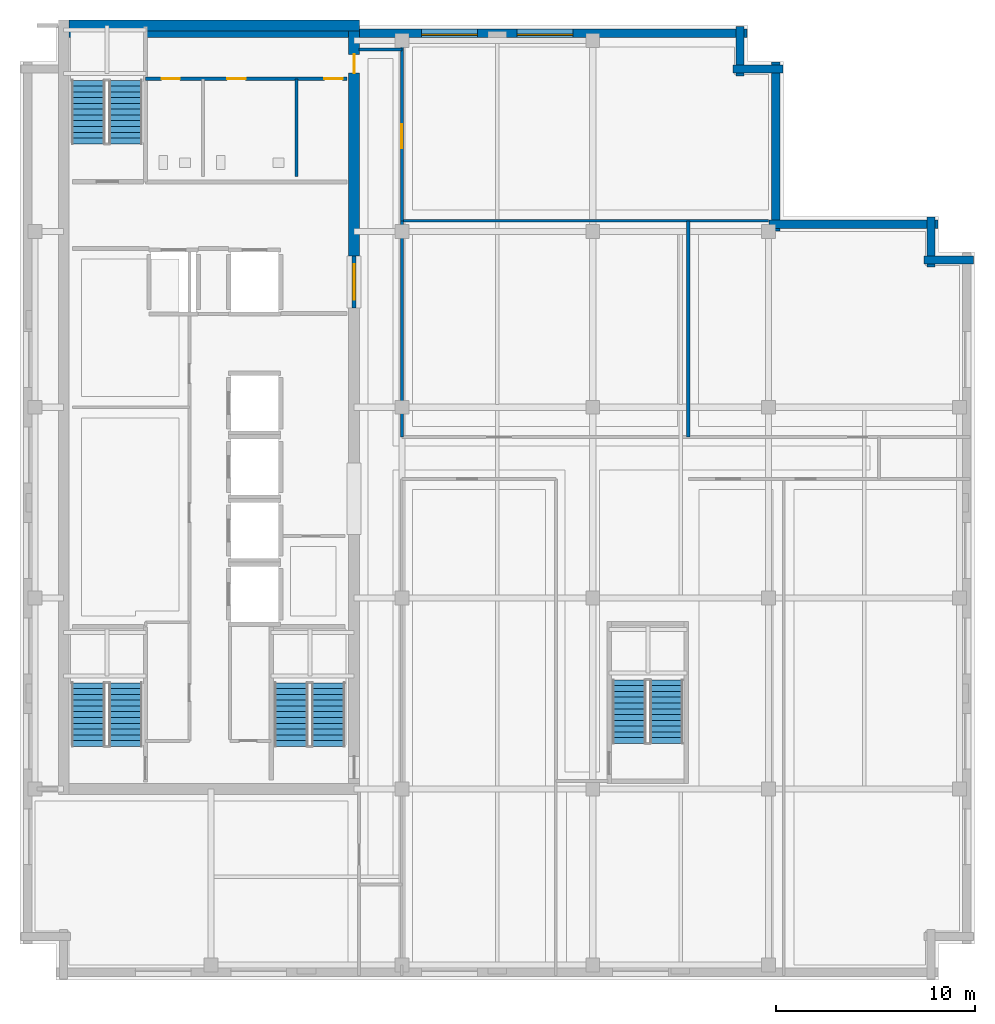
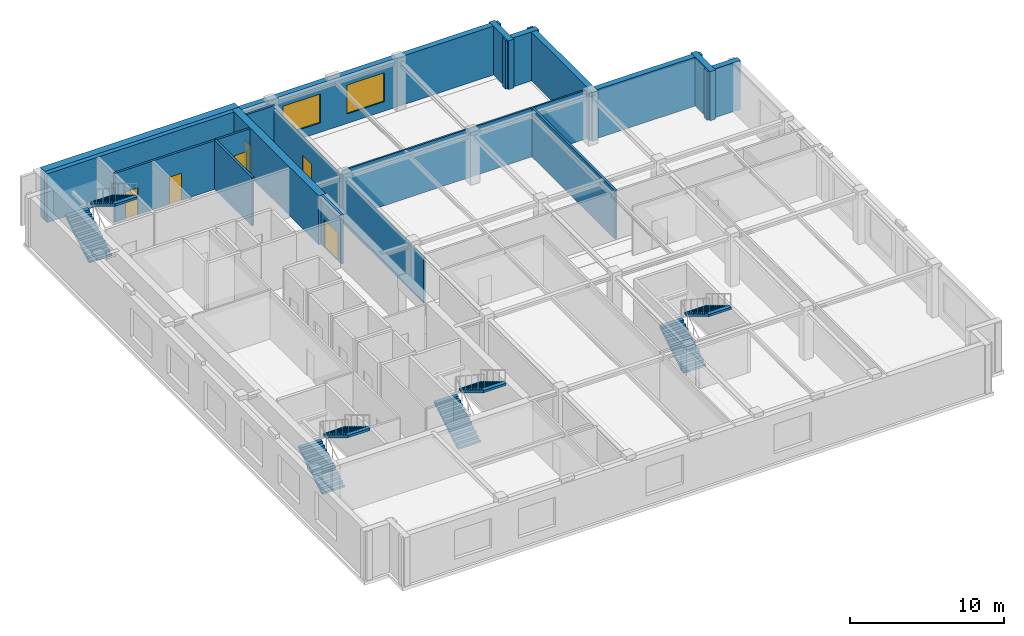
# One storey, part 5 of 10: 17 walls, 8 stair flights, 6 doors, 2 windows, 8 openings, 4 elements without a shape of their own.
"""IFC4 building model written with IfcOpenShell, lengths in metres."""

from ifc_helpers import new_model, si_unit, direction, frame, frame_2d, origin, place, context, subcontext, project, spatial, polyline, rectangle, outline, extrude, material, layer, layer_set, type_object, element, fill, aggregate, save


model = new_model("IFC4")

# Units and contexts
model_context = context("Model", 3, precision=1e-05, world=origin(), true_north=direction((0.0, 1.0)))
body_context = subcontext(model_context, "Body", "Model", "MODEL_VIEW")
ifc_project = project(units=[si_unit("LENGTHUNIT", "METRE"), si_unit("AREAUNIT", "SQUARE_METRE"), si_unit("VOLUMEUNIT", "CUBIC_METRE"), si_unit("PLANEANGLEUNIT", "RADIAN"), si_unit("MASSUNIT", "GRAM", prefix="KILO")], contexts=[model_context])

# Site, building, storey
site_placement = place(None, origin())
site = spatial("IfcSite", under=ifc_project, at=site_placement, CompositionType="ELEMENT")
building_placement = place(site_placement, origin())
building = spatial("IfcBuilding", under=site, at=building_placement, Name="Norrvale University Quadrangle", CompositionType="ELEMENT")
storey_placement = place(building_placement, frame((0.0, 0.0, 303.800048828125)))
storey = spatial("IfcBuildingStorey", under=building, at=storey_placement, Name="L77", CompositionType="ELEMENT", Elevation=303.800048828125)

# Walls
ifc_material_1 = material(Name="Buff Norman Clay Brick Masonry", Category="masonry")
ifc_layer_1 = layer(ifc_material_1, 0.419921875, Name="Buff Norman Clay Brick Masonry")
ifc_layer_set_1 = layer_set([ifc_layer_1], Name="Buff Norman Clay Brick Masonry")
wall_type_1 = type_object("IfcWallType", Name="Wall Buff Brick 420", PredefinedType="SOLIDWALL", material=ifc_layer_set_1)
for number, where, z_axis, x_axis, name in (
    (1, (47.9599609375, 36.2099609375, 0.0), (0.0, 0.0, 1.0), (-1.0, 0.0, 0.0), "Exterior Brick Facade Wall L77-05.1"),
    (2, (45.81005859375, 35.860107421875, 0.0), (0.0, 0.0, 1.0), (0.0, 1.0, 0.0), "Exterior Brick Facade Wall L77-06.1"),
):
    element("IfcWall", number, at=place(storey_placement, frame(where, z_axis=z_axis, x_axis=x_axis)), inside=storey, type_object=wall_type_1, Name=name, PredefinedType="SOLIDWALL", context=body_context, shape_type="SweptSolid", body=[
        extrude(rectangle(XDim=2.5, YDim=0.419921875, at=frame_2d((1.25, 0.0))), origin(), (0.0, 0.0, 1.0), 3.8798828125),
    ])
for number, where, z_axis, x_axis, name in (
    (3, (46.159912109375, 38.010009765625, 0.0), (0.0, 0.0, 1.0), (-1.0, 0.0, 0.0), "Exterior Brick Facade Wall L77-07.1"),
    (4, (38.010009765625, 37.659912109375, 0.0), (0.0, 0.0, 1.0), (0.0, 1.0, 0.0), "Exterior Brick Facade Wall L77-08.1"),
):
    element("IfcWall", number, at=place(storey_placement, frame(where, z_axis=z_axis, x_axis=x_axis)), inside=storey, type_object=wall_type_1, Name=name, PredefinedType="SOLIDWALL", context=body_context, shape_type="SweptSolid", body=[
        extrude(rectangle(XDim=8.5, YDim=0.419921875, at=frame_2d((4.25, 0.0))), origin(), (0.0, 0.0, 1.0), 3.8798828125),
    ])
for number, where, z_axis, x_axis, name in (
    (5, (38.360107421875, 45.81005859375, 0.0), (0.0, 0.0, 1.0), (-1.0, 0.0, 0.0), "Exterior Brick Facade Wall L77-09.1"),
    (6, (36.2099609375, 45.4599609375, 0.0), (0.0, 0.0, 1.0), (0.0, 1.0, 0.0), "Exterior Brick Facade Wall L77-10.1"),
):
    element("IfcWall", number, at=place(storey_placement, frame(where, z_axis=z_axis, x_axis=x_axis)), inside=storey, type_object=wall_type_1, Name=name, PredefinedType="SOLIDWALL", context=body_context, shape_type="SweptSolid", body=[
        extrude(rectangle(XDim=2.5, YDim=0.419921875, at=frame_2d((1.25, 0.0))), origin(), (0.0, 0.0, 1.0), 3.8798828125),
    ])

# Wall, openings, windows
wall_1_placement = place(storey_placement, frame((36.56005859375, 47.610107421875, 0.0), z_axis=(0.0, 0.0, 1.0), x_axis=(-1.0, 0.0, 0.0)))
wall_1 = element("IfcWall", 7, at=wall_1_placement, inside=storey, type_object=wall_type_1, Name="Exterior Brick Facade Wall L77-11.1", PredefinedType="SOLIDWALL", context=body_context, shape_type="SweptSolid", body=[
    extrude(rectangle(XDim=34.0849609375, YDim=0.419921875, at=frame_2d((17.04248046875, 0.0))), origin(), (0.0, 0.0, 1.0), 3.8798828125),
])
opening_1_placement = place(wall_1_placement, frame((8.760009765625, 0.0, 0.75)))
opening_1 = element("IfcOpeningElement", 8, at=opening_1_placement, cuts=wall_1, Name="Opening W05", PredefinedType="OPENING", context=body_context, shape_type="SweptSolid", body=[
    extrude(rectangle(XDim=2.800048828125, YDim=2.300048828125, at=frame_2d((1.39990234375, 1.14990234375))), frame((0.0, 0.221923828125, 0.0), z_axis=(0.0, -1.0, 0.0), x_axis=(1.0, 0.0, 0.0)), (0.0, 0.0, 1.0), 0.44384765625),
])
opening_2_placement = place(wall_1_placement, frame((13.56005859375, 0.0, 0.75)))
opening_2 = element("IfcOpeningElement", 9, at=opening_2_placement, cuts=wall_1, Name="Opening W05", PredefinedType="OPENING", context=body_context, shape_type="SweptSolid", body=[
    extrude(rectangle(XDim=2.800048828125, YDim=2.300048828125, at=frame_2d((1.39990234375, 1.14990234375))), frame((0.0, 0.221923828125, 0.0), z_axis=(0.0, -1.0, 0.0), x_axis=(1.0, 0.0, 0.0)), (0.0, 0.0, 1.0), 0.44384765625),
])
ifc_material_2 = material(Name="Bird-Friendly Fritted Triple Glazing", Category="glass")
window_type = type_object("IfcWindowType", Name="Window Podium 2800x2800", PartitioningType="TRIPLE_PANEL_VERTICAL", PredefinedType="WINDOW", material=ifc_material_2)
window_1_placement = place(opening_1_placement, origin())
window_1 = element("IfcWindow", 10, at=window_1_placement, inside=storey, type_object=window_type, Name="Window Podium 2800x2800 WIN-L77-E11-1-01", OverallHeight=2.300048828125, OverallWidth=2.800048828125, PartitioningType="TRIPLE_PANEL_VERTICAL", PredefinedType="WINDOW", context=body_context, shape_type="SweptSolid", body=[
    extrude(rectangle(XDim=2.800048828125, YDim=2.300048828125, at=frame_2d((1.39990234375, 1.14990234375))), frame((0.0, 0.110107421875, 0.0), z_axis=(0.0, -1.0, 0.0), x_axis=(1.0, 0.0, 0.0)), (0.0, 0.0, 1.0), 0.06005859375),
])
fill(opening_1, window_1)
window_2_placement = place(opening_2_placement, origin())
window_2 = element("IfcWindow", 11, at=window_2_placement, inside=storey, type_object=window_type, Name="Window Podium 2800x2800 WIN-L77-E11-1-02", OverallHeight=2.300048828125, OverallWidth=2.800048828125, PartitioningType="TRIPLE_PANEL_VERTICAL", PredefinedType="WINDOW", context=body_context, shape_type="SweptSolid", body=[
    extrude(rectangle(XDim=2.800048828125, YDim=2.300048828125, at=frame_2d((1.39990234375, 1.14990234375))), frame((0.0, 0.110107421875, 0.0), z_axis=(0.0, -1.0, 0.0), x_axis=(1.0, 0.0, 0.0)), (0.0, 0.0, 1.0), 0.06005859375),
])
fill(opening_2, window_2)

# Wall
ifc_material_3 = material(Name="Concrete C60/75", Category="concrete")
ifc_layer_2 = layer(ifc_material_3, 0.550048828125, Name="Concrete C60/75")
ifc_layer_set_2 = layer_set([ifc_layer_2], Name="Concrete C60/75")
wall_type_2 = type_object("IfcWallType", Name="Wall Core 550", PredefinedType="SHEAR", material=ifc_layer_set_2)
wall_2_placement = place(storey_placement, frame((2.47509765625, 48.0, 0.0), z_axis=(0.0, 0.0, 1.0), x_axis=(1.0, 0.0, 0.0)))
element("IfcWall", 12, at=wall_2_placement, inside=storey, type_object=wall_type_2, Name="Tower Core Shear Wall L77-N", PredefinedType="SHEAR", context=body_context, shape_type="SweptSolid", body=[
    extrude(rectangle(XDim=14.599853515625, YDim=0.550048828125, at=frame_2d((7.2998046875, 0.0))), origin(), (0.0, 0.0, 1.0), 3.8798828125),
])

# Wall, opening, door
wall_3_placement = place(storey_placement, frame((16.800048828125, 36.39990234375, 0.0), z_axis=(0.0, 0.0, 1.0), x_axis=(0.0, 1.0, 0.0)))
wall_3 = element("IfcWall", 13, at=wall_3_placement, inside=storey, type_object=wall_type_2, Name="Tower Core Shear Wall L77-E3", PredefinedType="SHEAR", context=body_context, shape_type="SweptSolid", body=[
    extrude(rectangle(XDim=11.3251953125, YDim=0.550048828125, at=frame_2d((5.66259765625, 0.0))), origin(), (0.0, 0.0, 1.0), 3.8798828125),
])
opening_3_placement = place(wall_3_placement, frame((9.199951171875, 0.0, 0.0)))
opening_3 = element("IfcOpeningElement", 14, at=opening_3_placement, cuts=wall_3, Name="Opening D07", PredefinedType="OPENING", context=body_context, shape_type="SweptSolid", body=[
    extrude(rectangle(XDim=0.949951171875, YDim=2.14990234375, at=frame_2d((0.47509765625, 1.074951171875))), frame((0.0, 0.287109375, 0.0), z_axis=(0.0, -1.0, 0.0), x_axis=(1.0, 0.0, 0.0)), (0.0, 0.0, 1.0), 0.573974609375),
])
ifc_material_4 = material(Name="Solid-Core Maple Door", Category="wood")
door_type_1 = type_object("IfcDoorType", Name="Door Office 950x2150", OperationType="NOTDEFINED", PredefinedType="DOOR", material=ifc_material_4)
door_1_placement = place(opening_3_placement, origin())
door_1 = element("IfcDoor", 15, at=door_1_placement, inside=storey, type_object=door_type_1, Name="Door Office 950x2150 DR-L77-NECORR", OperationType="SINGLE_SWING_RIGHT", OverallHeight=2.14990234375, OverallWidth=0.949951171875, PredefinedType="DOOR", context=body_context, shape_type="SweptSolid", body=[
    extrude(rectangle(XDim=0.949951171875, YDim=2.14990234375, at=frame_2d((0.47509765625, 1.074951171875))), frame((0.0, 0.02490234375, 0.0), z_axis=(0.0, -1.0, 0.0), x_axis=(1.0, 0.0, 0.0)), (0.0, 0.0, 1.0), 0.050048828125),
])
fill(opening_3, door_1)

# Walls
ifc_material_5 = material(Name="Standard Academic Gypsum Partition")
ifc_layer_3 = layer(ifc_material_5, 0.125, Name="Standard Academic Gypsum Partition")
ifc_layer_set_3 = layer_set([ifc_layer_3], Name="Standard Academic Gypsum Partition")
wall_type_3 = type_object("IfcWallType", Name="Wall Gypsum Academic 125", PredefinedType="PARTITIONING", material=ifc_layer_set_3)
wall_4_placement = place(storey_placement, frame((19.280029296875, 38.179931640625, 0.0), z_axis=(0.0, 0.0, 1.0), x_axis=(1.0, 0.0, 0.0)))
element("IfcWall", 16, at=wall_4_placement, inside=storey, type_object=wall_type_3, Name="Interior Partition WL-L77-ME-N", PredefinedType="PARTITIONING", context=body_context, shape_type="SweptSolid", body=[
    extrude(rectangle(XDim=18.369873046875, YDim=0.125, at=frame_2d((9.18505859375, 0.0))), origin(), (0.0, 0.0, 1.0), 3.8798828125),
])
ifc_material_6 = material(Name="Fire-Rated Gypsum Stud Partition")
ifc_layer_4 = layer(ifc_material_6, 0.14990234375, Name="Fire-Rated Gypsum Stud Partition")
ifc_layer_set_4 = layer_set([ifc_layer_4], Name="Fire-Rated Gypsum Stud Partition")
wall_type_4 = type_object("IfcWallType", Name="Wall Gypsum Corridor 150", PredefinedType="PARTITIONING", material=ifc_layer_set_4)
wall_5_placement = place(storey_placement, frame((17.050048828125, 46.800048828125, 0.0), z_axis=(0.0, 0.0, 1.0), x_axis=(1.0, 0.0, 0.0)))
element("IfcWall", 17, at=wall_5_placement, inside=storey, type_object=wall_type_4, Name="Interior Partition WL-L77-CSP-N", PredefinedType="PARTITIONING", context=body_context, shape_type="SweptSolid", body=[
    extrude(rectangle(XDim=2.14990234375, YDim=0.14990234375, at=frame_2d((1.074951171875, 0.0))), origin(), (0.0, 0.0, 1.0), 3.8798828125),
])
wall_6_placement = place(storey_placement, frame((19.199951171875, 27.300048828125, 0.0), z_axis=(0.0, 0.0, 1.0), x_axis=(0.0, 1.0, 0.0)))
element("IfcWall", 18, at=wall_6_placement, inside=storey, type_object=wall_type_4, Name="Interior Partition WL-L77-ME-W", PredefinedType="PARTITIONING", context=body_context, shape_type="SweptSolid", body=[
    extrude(rectangle(XDim=10.8798828125, YDim=0.14990234375, at=frame_2d((5.43994140625, 0.0))), origin(), (0.0, 0.0, 1.0), 3.572021484375),
])

# Wall, opening, door
wall_7_placement = place(storey_placement, frame((19.199951171875, 38.179931640625, 0.0), z_axis=(0.0, 0.0, 1.0), x_axis=(0.0, 1.0, 0.0)))
wall_7 = element("IfcWall", 19, at=wall_7_placement, inside=storey, type_object=wall_type_4, Name="Interior Partition WL-L77-NECW", PredefinedType="PARTITIONING", context=body_context, shape_type="SweptSolid", body=[
    extrude(rectangle(XDim=9.27001953125, YDim=0.14990234375, at=frame_2d((4.635009765625, 0.0))), origin(), (0.0, 0.0, 1.0), 3.572021484375),
])
opening_4_placement = place(wall_7_placement, frame((3.64990234375, 0.0, 0.0)))
opening_4 = element("IfcOpeningElement", 20, at=opening_4_placement, cuts=wall_7, Name="Opening D05", PredefinedType="OPENING", context=body_context, shape_type="SweptSolid", body=[
    extrude(rectangle(XDim=1.199951171875, YDim=2.199951171875, at=frame_2d((0.60009765625, 1.10009765625))), frame((0.0, 0.0869140625, 0.0), z_axis=(0.0, -1.0, 0.0), x_axis=(1.0, 0.0, 0.0)), (0.0, 0.0, 1.0), 0.173828125),
])
ifc_material_7 = material(Name="Acoustic Oak Classroom Door", Category="wood")
door_type_2 = type_object("IfcDoorType", Name="Door Classroom 1200x2200", OperationType="NOTDEFINED", PredefinedType="DOOR", material=ifc_material_7)
door_2_placement = place(opening_4_placement, origin())
door_2 = element("IfcDoor", 21, at=door_2_placement, inside=storey, type_object=door_type_2, Name="Door Classroom 1200x2200 DR-L77-NE01", OperationType="SINGLE_SWING_RIGHT", OverallHeight=2.199951171875, OverallWidth=1.199951171875, PredefinedType="DOOR", context=body_context, shape_type="SweptSolid", body=[
    extrude(rectangle(XDim=1.199951171875, YDim=2.199951171875, at=frame_2d((0.60009765625, 1.10009765625))), frame((0.0, 0.02490234375, 0.0), z_axis=(0.0, -1.0, 0.0), x_axis=(1.0, 0.0, 0.0)), (0.0, 0.0, 1.0), 0.050048828125),
])
fill(opening_4, door_2)

# Wall, openings, doors
ifc_material_8 = material(Name="Sanitary Chase Gypsum Partition")
ifc_layer_5 = layer(ifc_material_8, 0.1650390625, Name="Sanitary Chase Gypsum Partition")
ifc_layer_set_5 = layer_set([ifc_layer_5], Name="Sanitary Chase Gypsum Partition")
wall_type_5 = type_object("IfcWallType", Name="Wall Gypsum Sanitary 165", PredefinedType="PLUMBINGWALL", material=ifc_layer_set_5)
wall_8_placement = place(storey_placement, frame((6.320068359375, 45.320068359375, 0.0), z_axis=(0.0, 0.0, 1.0), x_axis=(1.0, 0.0, 0.0)))
wall_8 = element("IfcWall", 22, at=wall_8_placement, inside=storey, type_object=wall_type_5, Name="Interior Partition WL-L77-WCN", PredefinedType="PLUMBINGWALL", context=body_context, shape_type="SweptSolid", body=[
    extrude(rectangle(XDim=10.1298828125, YDim=0.1650390625, at=frame_2d((5.06494140625, 0.0))), origin(), (0.0, 0.0, 1.0), 3.8798828125),
])
opening_5_placement = place(wall_8_placement, frame((0.800048828125, 0.0, 0.0)))
opening_5 = element("IfcOpeningElement", 23, at=opening_5_placement, cuts=wall_8, Name="Opening D08", PredefinedType="OPENING", context=body_context, shape_type="SweptSolid", body=[
    extrude(rectangle(XDim=0.919921875, YDim=2.14990234375, at=frame_2d((0.4599609375, 1.074951171875))), frame((0.0, 0.094482421875, 0.0), z_axis=(0.0, -1.0, 0.0), x_axis=(1.0, 0.0, 0.0)), (0.0, 0.0, 1.0), 0.18896484375),
])
opening_6_placement = place(wall_8_placement, frame((4.10009765625, 0.0, 0.0)))
opening_6 = element("IfcOpeningElement", 24, at=opening_6_placement, cuts=wall_8, Name="Opening D08", PredefinedType="OPENING", context=body_context, shape_type="SweptSolid", body=[
    extrude(rectangle(XDim=0.919921875, YDim=2.14990234375, at=frame_2d((0.4599609375, 1.074951171875))), frame((0.0, 0.094482421875, 0.0), z_axis=(0.0, -1.0, 0.0), x_axis=(1.0, 0.0, 0.0)), (0.0, 0.0, 1.0), 0.18896484375),
])
opening_7_placement = place(wall_8_placement, frame((8.97998046875, 0.0, 0.0)))
opening_7 = element("IfcOpeningElement", 25, at=opening_7_placement, cuts=wall_8, Name="Opening D08", PredefinedType="OPENING", context=body_context, shape_type="SweptSolid", body=[
    extrude(rectangle(XDim=0.919921875, YDim=2.14990234375, at=frame_2d((0.4599609375, 1.074951171875))), frame((0.0, 0.094482421875, 0.0), z_axis=(0.0, -1.0, 0.0), x_axis=(1.0, 0.0, 0.0)), (0.0, 0.0, 1.0), 0.18896484375),
])
ifc_material_9 = material(Name="Laminate Washroom Door", Category="wood")
door_type_3 = type_object("IfcDoorType", Name="Door Washroom 920x2150", OperationType="NOTDEFINED", PredefinedType="DOOR", material=ifc_material_9)
door_3_placement = place(opening_5_placement, origin())
door_3 = element("IfcDoor", 26, at=door_3_placement, inside=storey, type_object=door_type_3, Name="Door Washroom 920x2150 DR-L77-WC1", OperationType="SINGLE_SWING_LEFT", OverallHeight=2.14990234375, OverallWidth=0.919921875, PredefinedType="DOOR", context=body_context, shape_type="SweptSolid", body=[
    extrude(rectangle(XDim=0.919921875, YDim=2.14990234375, at=frame_2d((0.4599609375, 1.074951171875))), frame((0.0, 0.02490234375, 0.0), z_axis=(0.0, -1.0, 0.0), x_axis=(1.0, 0.0, 0.0)), (0.0, 0.0, 1.0), 0.050048828125),
])
fill(opening_5, door_3)
door_4_placement = place(opening_6_placement, origin())
door_4 = element("IfcDoor", 27, at=door_4_placement, inside=storey, type_object=door_type_3, Name="Door Washroom 920x2150 DR-L77-WC2", OperationType="SINGLE_SWING_RIGHT", OverallHeight=2.14990234375, OverallWidth=0.919921875, PredefinedType="DOOR", context=body_context, shape_type="SweptSolid", body=[
    extrude(rectangle(XDim=0.919921875, YDim=2.14990234375, at=frame_2d((0.4599609375, 1.074951171875))), frame((0.0, 0.02490234375, 0.0), z_axis=(0.0, -1.0, 0.0), x_axis=(1.0, 0.0, 0.0)), (0.0, 0.0, 1.0), 0.050048828125),
])
fill(opening_6, door_4)
door_5_placement = place(opening_7_placement, origin())
door_5 = element("IfcDoor", 28, at=door_5_placement, inside=storey, type_object=door_type_3, Name="Door Washroom 920x2150 DR-L77-WC3", OperationType="SINGLE_SWING_LEFT", OverallHeight=2.14990234375, OverallWidth=0.919921875, PredefinedType="DOOR", context=body_context, shape_type="SweptSolid", body=[
    extrude(rectangle(XDim=0.919921875, YDim=2.14990234375, at=frame_2d((0.4599609375, 1.074951171875))), frame((0.0, 0.02490234375, 0.0), z_axis=(0.0, -1.0, 0.0), x_axis=(1.0, 0.0, 0.0)), (0.0, 0.0, 1.0), 0.050048828125),
])
fill(opening_7, door_5)

# Walls
wall_9_placement = place(storey_placement, frame((13.89990234375, 40.39990234375, 0.0), z_axis=(0.0, 0.0, 1.0), x_axis=(0.0, 1.0, 0.0)))
element("IfcWall", 29, at=wall_9_placement, inside=storey, type_object=wall_type_5, Name="Interior Partition WL-L77-WCM2", PredefinedType="PLUMBINGWALL", context=body_context, shape_type="SweptSolid", body=[
    extrude(rectangle(XDim=4.920166015625, YDim=0.1650390625, at=frame_2d((2.4599609375, 0.0))), origin(), (0.0, 0.0, 1.0), 3.8798828125),
])
wall_10_placement = place(storey_placement, frame((33.60009765625, 27.300048828125, 0.0), z_axis=(0.0, 0.0, 1.0), x_axis=(0.0, 1.0, 0.0)))
element("IfcWall", 30, at=wall_10_placement, inside=storey, type_object=wall_type_5, Name="Interior Partition WL-L77-MEP01", PredefinedType="PLUMBINGWALL", context=body_context, shape_type="SweptSolid", body=[
    extrude(rectangle(XDim=10.8798828125, YDim=0.1650390625, at=frame_2d((5.43994140625, 0.0))), origin(), (0.0, 0.0, 1.0), 3.8798828125),
])

# Wall, opening, door
ifc_material_10 = material(Name="Concrete Blockwork 20 MPa Rated Wall", Category="masonry")
ifc_layer_6 = layer(ifc_material_10, 0.199951171875, Name="Concrete Blockwork 20 MPa Rated Wall")
ifc_layer_set_6 = layer_set([ifc_layer_6], Name="Concrete Blockwork 20 MPa Rated Wall")
wall_type_6 = type_object("IfcWallType", Name="Wall Lobby 200", PredefinedType="SOLIDWALL", material=ifc_layer_set_6)
wall_11_placement = place(storey_placement, frame((16.800048828125, 33.800048828125, 0.0), z_axis=(0.0, 0.0, 1.0), x_axis=(0.0, 1.0, 0.0)))
wall_11 = element("IfcWall", 31, at=wall_11_placement, inside=storey, type_object=wall_type_6, Name="Interior Partition WL-L77-FFP", PredefinedType="SOLIDWALL", context=body_context, shape_type="SweptSolid", body=[
    extrude(rectangle(XDim=2.599853515625, YDim=0.199951171875, at=frame_2d((1.2998046875, 0.0))), origin(), (0.0, 0.0, 1.0), 3.8798828125),
])
opening_8_placement = place(wall_11_placement, frame((0.39990234375, 0.0, 0.0)))
opening_8 = element("IfcOpeningElement", 32, at=opening_8_placement, cuts=wall_11, Name="Opening D03", PredefinedType="OPENING", context=body_context, shape_type="SweptSolid", body=[
    extrude(rectangle(XDim=1.800048828125, YDim=2.199951171875, at=frame_2d((0.89990234375, 1.10009765625))), frame((0.0, 0.112060546875, 0.0), z_axis=(0.0, -1.0, 0.0), x_axis=(1.0, 0.0, 0.0)), (0.0, 0.0, 1.0), 0.223876953125),
])
ifc_material_11 = material(Name="Hollow Steel 350W Fire Door", Category="steel")
door_type_4 = type_object("IfcDoorType", Name="Door Fire Lobby 1800x2200", OperationType="DOUBLE_DOOR_SINGLE_SWING", PredefinedType="DOOR", material=ifc_material_11)
door_6_placement = place(opening_8_placement, origin())
door_6 = element("IfcDoor", 33, at=door_6_placement, inside=storey, type_object=door_type_4, Name="Door Fire Lobby 1800x2200 DR-L77-FFP", OperationType="DOUBLE_DOOR_SINGLE_SWING", OverallHeight=2.199951171875, OverallWidth=1.800048828125, PredefinedType="DOOR", context=body_context, shape_type="SweptSolid", body=[
    extrude(rectangle(XDim=1.800048828125, YDim=2.199951171875, at=frame_2d((0.89990234375, 1.10009765625))), frame((0.0, 0.02490234375, 0.0), z_axis=(0.0, -1.0, 0.0), x_axis=(1.0, 0.0, 0.0)), (0.0, 0.0, 1.0), 0.050048828125),
])
fill(opening_8, door_6)

# Stair, stair flights
ifc_material_12 = material(Name="Concrete C40/50", Category="concrete")
stair_type = type_object("IfcStairType", Name="Stair Tower Top 4200", PredefinedType="TWO_STRAIGHT_RUN_STAIR", material=ifc_material_12)
stair_1_placement = place(storey_placement, origin())
stair_1 = element("IfcStair", 34, at=stair_1_placement, inside=storey, type_object=stair_type, Name="Exit Stair ST-01 L77", PredefinedType="TWO_STRAIGHT_RUN_STAIR")
stair_flight_type = type_object("IfcStairFlightType", Name="Flight Typ 1500", PredefinedType="STRAIGHT", material=ifc_material_12)
stair_flight_1_placement = place(storey_placement, frame((3.429931640625, 11.75, 0.0), z_axis=(0.0, 0.0, 1.0), x_axis=(0.0, 1.0, 0.0)))
stair_flight_1 = element("IfcStairFlight", 35, at=stair_flight_1_placement, type_object=stair_flight_type, Name="Exit Stair ST-01 L77 Lower Flight", NumberOfRisers=12, NumberOfTreads=11, PredefinedType="STRAIGHT", RiserHeight=0.175, TreadLength=0.29, context=body_context, shape_type="SweptSolid", body=[
    extrude(outline(polyline([(0.0, 0.0), (0.0, 0.175048828125), (0.2900390625, 0.175048828125), (0.2900390625, 0.35009765625), (0.580078125, 0.35009765625), (0.580078125, 0.52490234375), (0.8701171875, 0.52490234375), (0.8701171875, 0.699951171875), (1.159912109375, 0.699951171875), (1.159912109375, 0.875), (1.449951171875, 0.875), (1.449951171875, 1.050048828125), (1.739990234375, 1.050048828125), (1.739990234375, 1.22509765625), (2.030029296875, 1.22509765625), (2.030029296875, 1.39990234375), (2.320068359375, 1.39990234375), (2.320068359375, 1.574951171875), (2.610107421875, 1.574951171875), (2.610107421875, 1.75), (2.89990234375, 1.75), (2.89990234375, 1.925048828125), (3.18994140625, 1.925048828125), (3.18994140625, 2.10009765625), (3.18994140625, 1.75), (0.2900390625, 0.0), (0.0, 0.0)])), frame((0.0, 0.83984375, 0.0), z_axis=(0.0, -1.0, 0.0), x_axis=(1.0, 0.0, 0.0)), (0.0, 0.0, 1.0), 1.679931640625),
])
stair_flight_2_placement = place(storey_placement, frame((5.320068359375, 14.93994140625, 2.099853515625), z_axis=(0.0, 0.0, 1.0), x_axis=(0.0, -1.0, 0.0)))
stair_flight_2 = element("IfcStairFlight", 36, at=stair_flight_2_placement, type_object=stair_flight_type, Name="Exit Stair ST-01 L77 Upper Flight", NumberOfRisers=12, NumberOfTreads=11, PredefinedType="STRAIGHT", RiserHeight=0.175, TreadLength=0.29, context=body_context, shape_type="SweptSolid", body=[
    extrude(outline(polyline([(0.0, 0.0), (0.0, 0.175048828125), (0.2900390625, 0.175048828125), (0.2900390625, 0.35009765625), (0.580078125, 0.35009765625), (0.580078125, 0.52490234375), (0.8701171875, 0.52490234375), (0.8701171875, 0.699951171875), (1.159912109375, 0.699951171875), (1.159912109375, 0.875), (1.449951171875, 0.875), (1.449951171875, 1.050048828125), (1.739990234375, 1.050048828125), (1.739990234375, 1.22509765625), (2.030029296875, 1.22509765625), (2.030029296875, 1.39990234375), (2.320068359375, 1.39990234375), (2.320068359375, 1.574951171875), (2.610107421875, 1.574951171875), (2.610107421875, 1.75), (2.89990234375, 1.75), (2.89990234375, 1.925048828125), (3.18994140625, 1.925048828125), (3.18994140625, 2.10009765625), (3.18994140625, 1.75), (0.2900390625, 0.0), (0.0, 0.0)])), frame((0.0, 0.83984375, 0.0), z_axis=(0.0, -1.0, 0.0), x_axis=(1.0, 0.0, 0.0)), (0.0, 0.0, 1.0), 1.679931640625),
])
aggregate(stair_1, [stair_flight_1, stair_flight_2])

stair_2_placement = place(storey_placement, origin())
stair_2 = element("IfcStair", 37, at=stair_2_placement, inside=storey, type_object=stair_type, Name="Exit Stair ST-02 L77", PredefinedType="TWO_STRAIGHT_RUN_STAIR")
stair_flight_3_placement = place(storey_placement, frame((3.429931640625, 42.050048828125, 0.0), z_axis=(0.0, 0.0, 1.0), x_axis=(0.0, 1.0, 0.0)))
stair_flight_3 = element("IfcStairFlight", 38, at=stair_flight_3_placement, type_object=stair_flight_type, Name="Exit Stair ST-02 L77 Lower Flight", NumberOfRisers=12, NumberOfTreads=11, PredefinedType="STRAIGHT", RiserHeight=0.175, TreadLength=0.29, context=body_context, shape_type="SweptSolid", body=[
    extrude(outline(polyline([(0.0, 0.0), (0.0, 0.175048828125), (0.2900390625, 0.175048828125), (0.2900390625, 0.35009765625), (0.580078125, 0.35009765625), (0.580078125, 0.52490234375), (0.8701171875, 0.52490234375), (0.8701171875, 0.699951171875), (1.159912109375, 0.699951171875), (1.159912109375, 0.875), (1.449951171875, 0.875), (1.449951171875, 1.050048828125), (1.739990234375, 1.050048828125), (1.739990234375, 1.22509765625), (2.030029296875, 1.22509765625), (2.030029296875, 1.39990234375), (2.320068359375, 1.39990234375), (2.320068359375, 1.574951171875), (2.610107421875, 1.574951171875), (2.610107421875, 1.75), (2.89990234375, 1.75), (2.89990234375, 1.925048828125), (3.18994140625, 1.925048828125), (3.18994140625, 2.10009765625), (3.18994140625, 1.75), (0.2900390625, 0.0), (0.0, 0.0)])), frame((0.0, 0.83984375, 0.0), z_axis=(0.0, -1.0, 0.0), x_axis=(1.0, 0.0, 0.0)), (0.0, 0.0, 1.0), 1.679931640625),
])
stair_flight_4_placement = place(storey_placement, frame((5.320068359375, 45.239990234375, 2.099853515625), z_axis=(0.0, 0.0, 1.0), x_axis=(0.0, -1.0, 0.0)))
stair_flight_4 = element("IfcStairFlight", 39, at=stair_flight_4_placement, type_object=stair_flight_type, Name="Exit Stair ST-02 L77 Upper Flight", NumberOfRisers=12, NumberOfTreads=11, PredefinedType="STRAIGHT", RiserHeight=0.175, TreadLength=0.29, context=body_context, shape_type="SweptSolid", body=[
    extrude(outline(polyline([(0.0, 0.0), (0.0, 0.175048828125), (0.2900390625, 0.175048828125), (0.2900390625, 0.35009765625), (0.580078125, 0.35009765625), (0.580078125, 0.52490234375), (0.8701171875, 0.52490234375), (0.8701171875, 0.699951171875), (1.159912109375, 0.699951171875), (1.159912109375, 0.875), (1.449951171875, 0.875), (1.449951171875, 1.050048828125), (1.739990234375, 1.050048828125), (1.739990234375, 1.22509765625), (2.030029296875, 1.22509765625), (2.030029296875, 1.39990234375), (2.320068359375, 1.39990234375), (2.320068359375, 1.574951171875), (2.610107421875, 1.574951171875), (2.610107421875, 1.75), (2.89990234375, 1.75), (2.89990234375, 1.925048828125), (3.18994140625, 1.925048828125), (3.18994140625, 2.10009765625), (3.18994140625, 1.75), (0.2900390625, 0.0), (0.0, 0.0)])), frame((0.0, 0.83984375, 0.0), z_axis=(0.0, -1.0, 0.0), x_axis=(1.0, 0.0, 0.0)), (0.0, 0.0, 1.0), 1.679931640625),
])
aggregate(stair_2, [stair_flight_3, stair_flight_4])

stair_3_placement = place(storey_placement, origin())
stair_3 = element("IfcStair", 40, at=stair_3_placement, inside=storey, type_object=stair_type, Name="Exit Stair ST-03 L77", PredefinedType="TWO_STRAIGHT_RUN_STAIR")
stair_flight_5_placement = place(storey_placement, frame((13.6298828125, 11.75, 0.0), z_axis=(0.0, 0.0, 1.0), x_axis=(0.0, 1.0, 0.0)))
stair_flight_5 = element("IfcStairFlight", 41, at=stair_flight_5_placement, type_object=stair_flight_type, Name="Exit Stair ST-03 L77 Lower Flight", NumberOfRisers=12, NumberOfTreads=11, PredefinedType="STRAIGHT", RiserHeight=0.175, TreadLength=0.29, context=body_context, shape_type="SweptSolid", body=[
    extrude(outline(polyline([(0.0, 0.0), (0.0, 0.175048828125), (0.2900390625, 0.175048828125), (0.2900390625, 0.35009765625), (0.580078125, 0.35009765625), (0.580078125, 0.52490234375), (0.8701171875, 0.52490234375), (0.8701171875, 0.699951171875), (1.159912109375, 0.699951171875), (1.159912109375, 0.875), (1.449951171875, 0.875), (1.449951171875, 1.050048828125), (1.739990234375, 1.050048828125), (1.739990234375, 1.22509765625), (2.030029296875, 1.22509765625), (2.030029296875, 1.39990234375), (2.320068359375, 1.39990234375), (2.320068359375, 1.574951171875), (2.610107421875, 1.574951171875), (2.610107421875, 1.75), (2.89990234375, 1.75), (2.89990234375, 1.925048828125), (3.18994140625, 1.925048828125), (3.18994140625, 2.10009765625), (3.18994140625, 1.75), (0.2900390625, 0.0), (0.0, 0.0)])), frame((0.0, 0.83984375, 0.0), z_axis=(0.0, -1.0, 0.0), x_axis=(1.0, 0.0, 0.0)), (0.0, 0.0, 1.0), 1.679931640625),
])
stair_flight_6_placement = place(storey_placement, frame((15.52001953125, 14.93994140625, 2.099853515625), z_axis=(0.0, 0.0, 1.0), x_axis=(0.0, -1.0, 0.0)))
stair_flight_6 = element("IfcStairFlight", 42, at=stair_flight_6_placement, type_object=stair_flight_type, Name="Exit Stair ST-03 L77 Upper Flight", NumberOfRisers=12, NumberOfTreads=11, PredefinedType="STRAIGHT", RiserHeight=0.175, TreadLength=0.29, context=body_context, shape_type="SweptSolid", body=[
    extrude(outline(polyline([(0.0, 0.0), (0.0, 0.175048828125), (0.2900390625, 0.175048828125), (0.2900390625, 0.35009765625), (0.580078125, 0.35009765625), (0.580078125, 0.52490234375), (0.8701171875, 0.52490234375), (0.8701171875, 0.699951171875), (1.159912109375, 0.699951171875), (1.159912109375, 0.875), (1.449951171875, 0.875), (1.449951171875, 1.050048828125), (1.739990234375, 1.050048828125), (1.739990234375, 1.22509765625), (2.030029296875, 1.22509765625), (2.030029296875, 1.39990234375), (2.320068359375, 1.39990234375), (2.320068359375, 1.574951171875), (2.610107421875, 1.574951171875), (2.610107421875, 1.75), (2.89990234375, 1.75), (2.89990234375, 1.925048828125), (3.18994140625, 1.925048828125), (3.18994140625, 2.10009765625), (3.18994140625, 1.75), (0.2900390625, 0.0), (0.0, 0.0)])), frame((0.0, 0.83984375, 0.0), z_axis=(0.0, -1.0, 0.0), x_axis=(1.0, 0.0, 0.0)), (0.0, 0.0, 1.0), 1.679931640625),
])
aggregate(stair_3, [stair_flight_5, stair_flight_6])

stair_4_placement = place(storey_placement, origin())
stair_4 = element("IfcStair", 43, at=stair_4_placement, inside=storey, type_object=stair_type, Name="Exit Stair ST-04 L77", PredefinedType="TWO_STRAIGHT_RUN_STAIR")
stair_flight_7_placement = place(storey_placement, frame((30.6298828125, 11.89990234375, 0.0), z_axis=(0.0, 0.0, 1.0), x_axis=(0.0, 1.0, 0.0)))
stair_flight_7 = element("IfcStairFlight", 44, at=stair_flight_7_placement, type_object=stair_flight_type, Name="Exit Stair ST-04 L77 Lower Flight", NumberOfRisers=12, NumberOfTreads=11, PredefinedType="STRAIGHT", RiserHeight=0.175, TreadLength=0.29, context=body_context, shape_type="SweptSolid", body=[
    extrude(outline(polyline([(0.0, 0.0), (0.0, 0.175048828125), (0.2900390625, 0.175048828125), (0.2900390625, 0.35009765625), (0.580078125, 0.35009765625), (0.580078125, 0.52490234375), (0.8701171875, 0.52490234375), (0.8701171875, 0.699951171875), (1.159912109375, 0.699951171875), (1.159912109375, 0.875), (1.449951171875, 0.875), (1.449951171875, 1.050048828125), (1.739990234375, 1.050048828125), (1.739990234375, 1.22509765625), (2.030029296875, 1.22509765625), (2.030029296875, 1.39990234375), (2.320068359375, 1.39990234375), (2.320068359375, 1.574951171875), (2.610107421875, 1.574951171875), (2.610107421875, 1.75), (2.89990234375, 1.75), (2.89990234375, 1.925048828125), (3.18994140625, 1.925048828125), (3.18994140625, 2.10009765625), (3.18994140625, 1.75), (0.2900390625, 0.0), (0.0, 0.0)])), frame((0.0, 0.83984375, 0.0), z_axis=(0.0, -1.0, 0.0), x_axis=(1.0, 0.0, 0.0)), (0.0, 0.0, 1.0), 1.679931640625),
])
stair_flight_8_placement = place(storey_placement, frame((32.52001953125, 15.090087890625, 2.099853515625), z_axis=(0.0, 0.0, 1.0), x_axis=(0.0, -1.0, 0.0)))
stair_flight_8 = element("IfcStairFlight", 45, at=stair_flight_8_placement, type_object=stair_flight_type, Name="Exit Stair ST-04 L77 Upper Flight", NumberOfRisers=12, NumberOfTreads=11, PredefinedType="STRAIGHT", RiserHeight=0.175, TreadLength=0.29, context=body_context, shape_type="SweptSolid", body=[
    extrude(outline(polyline([(0.0, 0.0), (0.0, 0.175048828125), (0.2900390625, 0.175048828125), (0.2900390625, 0.35009765625), (0.580078125, 0.35009765625), (0.580078125, 0.52490234375), (0.8701171875, 0.52490234375), (0.8701171875, 0.699951171875), (1.159912109375, 0.699951171875), (1.159912109375, 0.875), (1.449951171875, 0.875), (1.449951171875, 1.050048828125), (1.739990234375, 1.050048828125), (1.739990234375, 1.22509765625), (2.030029296875, 1.22509765625), (2.030029296875, 1.39990234375), (2.320068359375, 1.39990234375), (2.320068359375, 1.574951171875), (2.610107421875, 1.574951171875), (2.610107421875, 1.75), (2.89990234375, 1.75), (2.89990234375, 1.925048828125), (3.18994140625, 1.925048828125), (3.18994140625, 2.10009765625), (3.18994140625, 1.75), (0.2900390625, 0.0), (0.0, 0.0)])), frame((0.0, 0.83984375, 0.0), z_axis=(0.0, -1.0, 0.0), x_axis=(1.0, 0.0, 0.0)), (0.0, 0.0, 1.0), 1.679931640625),
])
aggregate(stair_4, [stair_flight_7, stair_flight_8])

save(model, "model.ifc")
